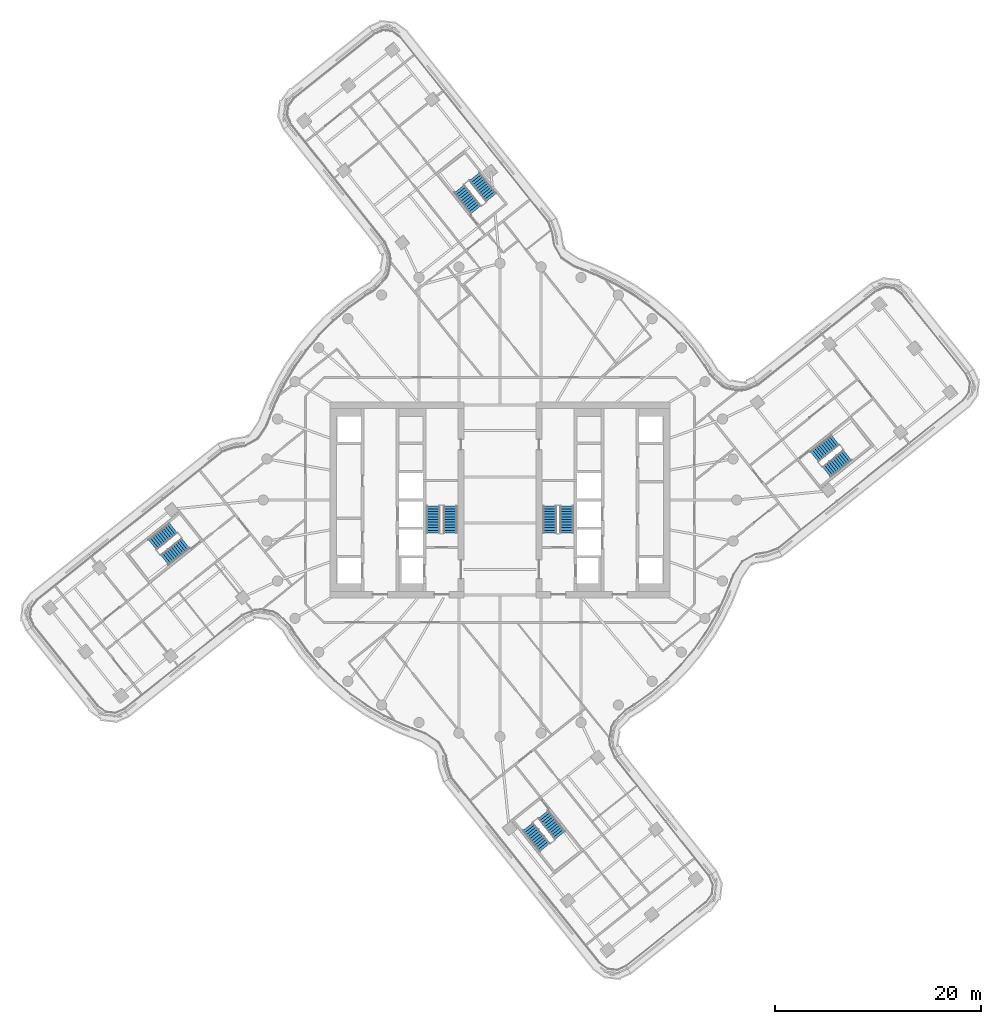
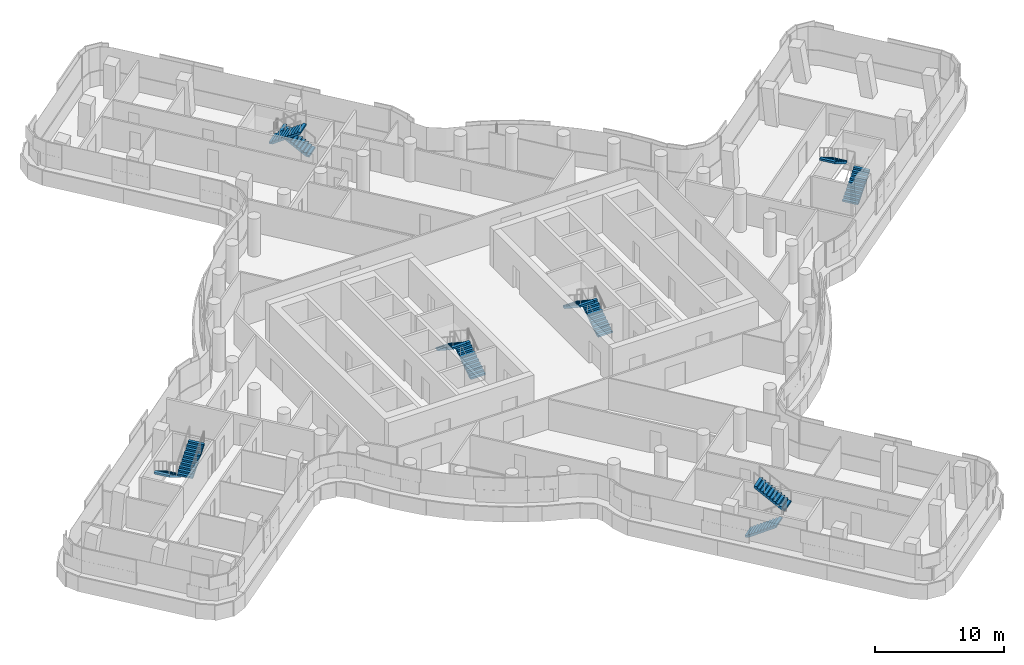
# One storey, part 24 of 31: 12 stair flights, 6 elements without a shape of their own.
"""IFC4 building model written with IfcOpenShell, lengths in metres."""

from ifc_helpers import new_model, si_unit, direction, frame, origin, place, context, subcontext, project, spatial, polyline, outline, extrude, material, type_object, element, aggregate, save


model = new_model("IFC4")

# Units and contexts
model_context = context("Model", 3, precision=1e-05, world=origin(), true_north=direction((0.0, 1.0)))
body_context = subcontext(model_context, "Body", "Model", "MODEL_VIEW")
ifc_project = project(units=[si_unit("LENGTHUNIT", "METRE"), si_unit("AREAUNIT", "SQUARE_METRE"), si_unit("VOLUMEUNIT", "CUBIC_METRE"), si_unit("PLANEANGLEUNIT", "RADIAN"), si_unit("MASSUNIT", "GRAM", prefix="KILO")], contexts=[model_context])

# Site, building, storey
site_placement = place(None, origin())
site = spatial("IfcSite", under=ifc_project, at=site_placement, CompositionType="ELEMENT")
building_placement = place(site_placement, origin())
building = spatial("IfcBuilding", under=site, at=building_placement, Name="Tamarind Cross Interchange Tower", CompositionType="ELEMENT")
storey_placement = place(building_placement, frame((0.0, 0.0, 174.25)))
storey = spatial("IfcBuildingStorey", under=building, at=storey_placement, Name="L43", CompositionType="ELEMENT", Elevation=174.25)

# Stair, stair flights
ifc_material_1 = material(Name="Exit stair")
stair_type = type_object("IfcStairType", Name="Exit stair", PredefinedType="HALF_TURN_STAIR", material=ifc_material_1)
stair_1_placement = place(storey_placement, origin())
stair_1 = element("IfcStair", 1, at=stair_1_placement, inside=storey, type_object=stair_type, Name="L43 exit stair ST1", PredefinedType="HALF_TURN_STAIR")
ifc_material_2 = material(Name="Exit stair flight")
stair_flight_type = type_object("IfcStairFlightType", Name="Exit stair flight", PredefinedType="STRAIGHT", material=ifc_material_2)
stair_flight_1_placement = place(storey_placement, frame((-4.85009765625, -3.199951171875, 0.0), z_axis=(0.0, 0.0, 1.0), x_axis=(0.0, 1.0, 0.0)))
stair_flight_1 = element("IfcStairFlight", 2, at=stair_flight_1_placement, type_object=stair_flight_type, Name="ST1 flight 1", NumberOfRisers=11, NumberOfTreads=10, PredefinedType="STRAIGHT", RiserHeight=0.170454545, TreadLength=0.26, context=body_context, shape_type="SweptSolid", body=[
    extrude(outline(polyline([(0.0, 0.0), (0.0, 0.17041015625), (0.260009765625, 0.17041015625), (0.260009765625, 0.3408203125), (0.52001953125, 0.3408203125), (0.52001953125, 0.511474609375), (0.780029296875, 0.511474609375), (0.780029296875, 0.681884765625), (1.0400390625, 0.681884765625), (1.0400390625, 0.852294921875), (1.300048828125, 0.852294921875), (1.300048828125, 1.022705078125), (1.56005859375, 1.022705078125), (1.56005859375, 1.193115234375), (1.820068359375, 1.193115234375), (1.820068359375, 1.363525390625), (2.080078125, 1.363525390625), (2.080078125, 1.5341796875), (2.340087890625, 1.5341796875), (2.340087890625, 1.70458984375), (2.60009765625, 1.70458984375), (2.60009765625, 1.875), (2.60009765625, 1.525390625), (0.2734375, 0.0), (0.0, 0.0)])), frame((0.0, 0.64990234375, 0.0), z_axis=(0.0, -1.0, 0.0), x_axis=(1.0, 0.0, 0.0)), (0.0, 0.0, 1.0), 1.300048828125),
])
stair_flight_2_placement = place(storey_placement, frame((-6.5, -0.60009765625, 1.875), z_axis=(0.0, 0.0, 1.0), x_axis=(0.0, -1.0, 0.0)))
stair_flight_2 = element("IfcStairFlight", 3, at=stair_flight_2_placement, type_object=stair_flight_type, Name="ST1 flight 2", NumberOfRisers=11, NumberOfTreads=10, PredefinedType="STRAIGHT", RiserHeight=0.170454545, TreadLength=0.26, context=body_context, shape_type="SweptSolid", body=[
    extrude(outline(polyline([(0.0, 0.0), (0.0, 0.17041015625), (0.260009765625, 0.17041015625), (0.260009765625, 0.3408203125), (0.52001953125, 0.3408203125), (0.52001953125, 0.511474609375), (0.780029296875, 0.511474609375), (0.780029296875, 0.681884765625), (1.0400390625, 0.681884765625), (1.0400390625, 0.852294921875), (1.300048828125, 0.852294921875), (1.300048828125, 1.022705078125), (1.56005859375, 1.022705078125), (1.56005859375, 1.193115234375), (1.820068359375, 1.193115234375), (1.820068359375, 1.363525390625), (2.080078125, 1.363525390625), (2.080078125, 1.5341796875), (2.340087890625, 1.5341796875), (2.340087890625, 1.70458984375), (2.60009765625, 1.70458984375), (2.60009765625, 1.875), (2.60009765625, 1.525390625), (0.2734375, 0.0), (0.0, 0.0)])), frame((0.0, 0.64990234375, 0.0), z_axis=(0.0, -1.0, 0.0), x_axis=(1.0, 0.0, 0.0)), (0.0, 0.0, 1.0), 1.300048828125),
])
aggregate(stair_1, [stair_flight_1, stair_flight_2])

stair_2_placement = place(storey_placement, origin())
stair_2 = element("IfcStair", 4, at=stair_2_placement, inside=storey, type_object=stair_type, Name="L43 exit stair ST2", PredefinedType="HALF_TURN_STAIR")
stair_flight_3_placement = place(storey_placement, frame((6.5, -3.199951171875, 0.0), z_axis=(0.0, 0.0, 1.0), x_axis=(0.0, 1.0, 0.0)))
stair_flight_3 = element("IfcStairFlight", 5, at=stair_flight_3_placement, type_object=stair_flight_type, Name="ST2 flight 1", NumberOfRisers=11, NumberOfTreads=10, PredefinedType="STRAIGHT", RiserHeight=0.170454545, TreadLength=0.26, context=body_context, shape_type="SweptSolid", body=[
    extrude(outline(polyline([(0.0, 0.0), (0.0, 0.17041015625), (0.260009765625, 0.17041015625), (0.260009765625, 0.3408203125), (0.52001953125, 0.3408203125), (0.52001953125, 0.511474609375), (0.780029296875, 0.511474609375), (0.780029296875, 0.681884765625), (1.0400390625, 0.681884765625), (1.0400390625, 0.852294921875), (1.300048828125, 0.852294921875), (1.300048828125, 1.022705078125), (1.56005859375, 1.022705078125), (1.56005859375, 1.193115234375), (1.820068359375, 1.193115234375), (1.820068359375, 1.363525390625), (2.080078125, 1.363525390625), (2.080078125, 1.5341796875), (2.340087890625, 1.5341796875), (2.340087890625, 1.70458984375), (2.60009765625, 1.70458984375), (2.60009765625, 1.875), (2.60009765625, 1.525390625), (0.2734375, 0.0), (0.0, 0.0)])), frame((0.0, 0.64990234375, 0.0), z_axis=(0.0, -1.0, 0.0), x_axis=(1.0, 0.0, 0.0)), (0.0, 0.0, 1.0), 1.300048828125),
])
stair_flight_4_placement = place(storey_placement, frame((4.85009765625, -0.60009765625, 1.875), z_axis=(0.0, 0.0, 1.0), x_axis=(0.0, -1.0, 0.0)))
stair_flight_4 = element("IfcStairFlight", 6, at=stair_flight_4_placement, type_object=stair_flight_type, Name="ST2 flight 2", NumberOfRisers=11, NumberOfTreads=10, PredefinedType="STRAIGHT", RiserHeight=0.170454545, TreadLength=0.26, context=body_context, shape_type="SweptSolid", body=[
    extrude(outline(polyline([(0.0, 0.0), (0.0, 0.17041015625), (0.260009765625, 0.17041015625), (0.260009765625, 0.3408203125), (0.52001953125, 0.3408203125), (0.52001953125, 0.511474609375), (0.780029296875, 0.511474609375), (0.780029296875, 0.681884765625), (1.0400390625, 0.681884765625), (1.0400390625, 0.852294921875), (1.300048828125, 0.852294921875), (1.300048828125, 1.022705078125), (1.56005859375, 1.022705078125), (1.56005859375, 1.193115234375), (1.820068359375, 1.193115234375), (1.820068359375, 1.363525390625), (2.080078125, 1.363525390625), (2.080078125, 1.5341796875), (2.340087890625, 1.5341796875), (2.340087890625, 1.70458984375), (2.60009765625, 1.70458984375), (2.60009765625, 1.875), (2.60009765625, 1.525390625), (0.2734375, 0.0), (0.0, 0.0)])), frame((0.0, 0.64990234375, 0.0), z_axis=(0.0, -1.0, 0.0), x_axis=(1.0, 0.0, 0.0)), (0.0, 0.0, 1.0), 1.300048828125),
])
aggregate(stair_2, [stair_flight_3, stair_flight_4])

stair_3_placement = place(storey_placement, origin())
stair_3 = element("IfcStair", 7, at=stair_3_placement, inside=storey, type_object=stair_type, Name="L43 exit stair ST3", PredefinedType="HALF_TURN_STAIR")
stair_flight_5_placement = place(storey_placement, frame((31.729736328125, 2.724853515625, 0.0), z_axis=(0.0, 0.0, 1.0), x_axis=(0.780892885425, 0.624664951388, 0.0)))
stair_flight_5 = element("IfcStairFlight", 8, at=stair_flight_5_placement, type_object=stair_flight_type, Name="ST3 flight 1", NumberOfRisers=11, NumberOfTreads=10, PredefinedType="STRAIGHT", RiserHeight=0.170454545, TreadLength=0.26, context=body_context, shape_type="SweptSolid", body=[
    extrude(outline(polyline([(0.0, 0.0), (0.0, 0.17041015625), (0.260009765625, 0.17041015625), (0.260009765625, 0.3408203125), (0.52001953125, 0.3408203125), (0.52001953125, 0.511474609375), (0.780029296875, 0.511474609375), (0.780029296875, 0.681884765625), (1.0400390625, 0.681884765625), (1.0400390625, 0.852294921875), (1.300048828125, 0.852294921875), (1.300048828125, 1.022705078125), (1.56005859375, 1.022705078125), (1.56005859375, 1.193115234375), (1.820068359375, 1.193115234375), (1.820068359375, 1.363525390625), (2.080078125, 1.363525390625), (2.080078125, 1.5341796875), (2.340087890625, 1.5341796875), (2.340087890625, 1.70458984375), (2.60009765625, 1.70458984375), (2.60009765625, 1.875), (2.60009765625, 1.525390625), (0.2734375, 0.0), (0.0, 0.0)])), frame((0.0, 0.64990234375, 0.0), z_axis=(0.0, -1.0, 0.0), x_axis=(1.0, 0.0, 0.0)), (0.0, 0.0, 1.0), 1.300048828125),
])
stair_flight_6_placement = place(storey_placement, frame((32.5732421875, 5.832763671875, 1.875), z_axis=(0.0, 0.0, 1.0), x_axis=(-0.780892885425, -0.624664951388, 0.0)))
stair_flight_6 = element("IfcStairFlight", 9, at=stair_flight_6_placement, type_object=stair_flight_type, Name="ST3 flight 2", NumberOfRisers=11, NumberOfTreads=10, PredefinedType="STRAIGHT", RiserHeight=0.170454545, TreadLength=0.26, context=body_context, shape_type="SweptSolid", body=[
    extrude(outline(polyline([(0.0, 0.0), (0.0, 0.17041015625), (0.260009765625, 0.17041015625), (0.260009765625, 0.3408203125), (0.52001953125, 0.3408203125), (0.52001953125, 0.511474609375), (0.780029296875, 0.511474609375), (0.780029296875, 0.681884765625), (1.0400390625, 0.681884765625), (1.0400390625, 0.852294921875), (1.300048828125, 0.852294921875), (1.300048828125, 1.022705078125), (1.56005859375, 1.022705078125), (1.56005859375, 1.193115234375), (1.820068359375, 1.193115234375), (1.820068359375, 1.363525390625), (2.080078125, 1.363525390625), (2.080078125, 1.5341796875), (2.340087890625, 1.5341796875), (2.340087890625, 1.70458984375), (2.60009765625, 1.70458984375), (2.60009765625, 1.875), (2.60009765625, 1.525390625), (0.2734375, 0.0), (0.0, 0.0)])), frame((0.0, 0.64990234375, 0.0), z_axis=(0.0, -1.0, 0.0), x_axis=(1.0, 0.0, 0.0)), (0.0, 0.0, 1.0), 1.300048828125),
])
aggregate(stair_3, [stair_flight_5, stair_flight_6])

stair_4_placement = place(storey_placement, origin())
stair_4 = element("IfcStair", 10, at=stair_4_placement, inside=storey, type_object=stair_type, Name="L43 exit stair ST4", PredefinedType="HALF_TURN_STAIR")
stair_flight_7_placement = place(storey_placement, frame((-0.850830078125, 29.386962890625, 0.0), z_axis=(0.0, 0.0, 1.0), x_axis=(-0.624664951388, 0.780892885425, 0.0)))
stair_flight_7 = element("IfcStairFlight", 11, at=stair_flight_7_placement, type_object=stair_flight_type, Name="ST4 flight 1", NumberOfRisers=11, NumberOfTreads=10, PredefinedType="STRAIGHT", RiserHeight=0.170454545, TreadLength=0.26, context=body_context, shape_type="SweptSolid", body=[
    extrude(outline(polyline([(0.0, 0.0), (0.0, 0.17041015625), (0.260009765625, 0.17041015625), (0.260009765625, 0.3408203125), (0.52001953125, 0.3408203125), (0.52001953125, 0.511474609375), (0.780029296875, 0.511474609375), (0.780029296875, 0.681884765625), (1.0400390625, 0.681884765625), (1.0400390625, 0.852294921875), (1.300048828125, 0.852294921875), (1.300048828125, 1.022705078125), (1.56005859375, 1.022705078125), (1.56005859375, 1.193115234375), (1.820068359375, 1.193115234375), (1.820068359375, 1.363525390625), (2.080078125, 1.363525390625), (2.080078125, 1.5341796875), (2.340087890625, 1.5341796875), (2.340087890625, 1.70458984375), (2.60009765625, 1.70458984375), (2.60009765625, 1.875), (2.60009765625, 1.525390625), (0.2734375, 0.0), (0.0, 0.0)])), frame((0.0, 0.64990234375, 0.0), z_axis=(0.0, -1.0, 0.0), x_axis=(1.0, 0.0, 0.0)), (0.0, 0.0, 1.0), 1.300048828125),
])
stair_flight_8_placement = place(storey_placement, frame((-3.958740234375, 30.23046875, 1.875), z_axis=(0.0, 0.0, 1.0), x_axis=(0.624664951388, -0.780892885425, 0.0)))
stair_flight_8 = element("IfcStairFlight", 12, at=stair_flight_8_placement, type_object=stair_flight_type, Name="ST4 flight 2", NumberOfRisers=11, NumberOfTreads=10, PredefinedType="STRAIGHT", RiserHeight=0.170454545, TreadLength=0.26, context=body_context, shape_type="SweptSolid", body=[
    extrude(outline(polyline([(0.0, 0.0), (0.0, 0.17041015625), (0.260009765625, 0.17041015625), (0.260009765625, 0.3408203125), (0.52001953125, 0.3408203125), (0.52001953125, 0.511474609375), (0.780029296875, 0.511474609375), (0.780029296875, 0.681884765625), (1.0400390625, 0.681884765625), (1.0400390625, 0.852294921875), (1.300048828125, 0.852294921875), (1.300048828125, 1.022705078125), (1.56005859375, 1.022705078125), (1.56005859375, 1.193115234375), (1.820068359375, 1.193115234375), (1.820068359375, 1.363525390625), (2.080078125, 1.363525390625), (2.080078125, 1.5341796875), (2.340087890625, 1.5341796875), (2.340087890625, 1.70458984375), (2.60009765625, 1.70458984375), (2.60009765625, 1.875), (2.60009765625, 1.525390625), (0.2734375, 0.0), (0.0, 0.0)])), frame((0.0, 0.64990234375, 0.0), z_axis=(0.0, -1.0, 0.0), x_axis=(1.0, 0.0, 0.0)), (0.0, 0.0, 1.0), 1.300048828125),
])
aggregate(stair_4, [stair_flight_7, stair_flight_8])

stair_5_placement = place(storey_placement, origin())
stair_5 = element("IfcStair", 13, at=stair_5_placement, inside=storey, type_object=stair_type, Name="L43 exit stair ST5", PredefinedType="HALF_TURN_STAIR")
stair_flight_9_placement = place(storey_placement, frame((-31.729736328125, -2.724853515625, 0.0), z_axis=(0.0, 0.0, 1.0), x_axis=(-0.780892885425, -0.624664951388, 0.0)))
stair_flight_9 = element("IfcStairFlight", 14, at=stair_flight_9_placement, type_object=stair_flight_type, Name="ST5 flight 1", NumberOfRisers=11, NumberOfTreads=10, PredefinedType="STRAIGHT", RiserHeight=0.170454545, TreadLength=0.26, context=body_context, shape_type="SweptSolid", body=[
    extrude(outline(polyline([(0.0, 0.0), (0.0, 0.17041015625), (0.260009765625, 0.17041015625), (0.260009765625, 0.3408203125), (0.52001953125, 0.3408203125), (0.52001953125, 0.511474609375), (0.780029296875, 0.511474609375), (0.780029296875, 0.681884765625), (1.0400390625, 0.681884765625), (1.0400390625, 0.852294921875), (1.300048828125, 0.852294921875), (1.300048828125, 1.022705078125), (1.56005859375, 1.022705078125), (1.56005859375, 1.193115234375), (1.820068359375, 1.193115234375), (1.820068359375, 1.363525390625), (2.080078125, 1.363525390625), (2.080078125, 1.5341796875), (2.340087890625, 1.5341796875), (2.340087890625, 1.70458984375), (2.60009765625, 1.70458984375), (2.60009765625, 1.875), (2.60009765625, 1.525390625), (0.2734375, 0.0), (0.0, 0.0)])), frame((0.0, 0.64990234375, 0.0), z_axis=(0.0, -1.0, 0.0), x_axis=(1.0, 0.0, 0.0)), (0.0, 0.0, 1.0), 1.300048828125),
])
stair_flight_10_placement = place(storey_placement, frame((-32.5732421875, -5.832763671875, 1.875), z_axis=(0.0, 0.0, 1.0), x_axis=(0.780892885425, 0.624664951388, 0.0)))
stair_flight_10 = element("IfcStairFlight", 15, at=stair_flight_10_placement, type_object=stair_flight_type, Name="ST5 flight 2", NumberOfRisers=11, NumberOfTreads=10, PredefinedType="STRAIGHT", RiserHeight=0.170454545, TreadLength=0.26, context=body_context, shape_type="SweptSolid", body=[
    extrude(outline(polyline([(0.0, 0.0), (0.0, 0.17041015625), (0.260009765625, 0.17041015625), (0.260009765625, 0.3408203125), (0.52001953125, 0.3408203125), (0.52001953125, 0.511474609375), (0.780029296875, 0.511474609375), (0.780029296875, 0.681884765625), (1.0400390625, 0.681884765625), (1.0400390625, 0.852294921875), (1.300048828125, 0.852294921875), (1.300048828125, 1.022705078125), (1.56005859375, 1.022705078125), (1.56005859375, 1.193115234375), (1.820068359375, 1.193115234375), (1.820068359375, 1.363525390625), (2.080078125, 1.363525390625), (2.080078125, 1.5341796875), (2.340087890625, 1.5341796875), (2.340087890625, 1.70458984375), (2.60009765625, 1.70458984375), (2.60009765625, 1.875), (2.60009765625, 1.525390625), (0.2734375, 0.0), (0.0, 0.0)])), frame((0.0, 0.64990234375, 0.0), z_axis=(0.0, -1.0, 0.0), x_axis=(1.0, 0.0, 0.0)), (0.0, 0.0, 1.0), 1.300048828125),
])
aggregate(stair_5, [stair_flight_9, stair_flight_10])

stair_6_placement = place(storey_placement, origin())
stair_6 = element("IfcStair", 16, at=stair_6_placement, inside=storey, type_object=stair_type, Name="L43 exit stair ST6", PredefinedType="HALF_TURN_STAIR")
stair_flight_11_placement = place(storey_placement, frame((2.724853515625, -31.729736328125, 0.0), z_axis=(0.0, 0.0, 1.0), x_axis=(0.624664951388, -0.780892885425, 0.0)))
stair_flight_11 = element("IfcStairFlight", 17, at=stair_flight_11_placement, type_object=stair_flight_type, Name="ST6 flight 1", NumberOfRisers=11, NumberOfTreads=10, PredefinedType="STRAIGHT", RiserHeight=0.170454545, TreadLength=0.26, context=body_context, shape_type="SweptSolid", body=[
    extrude(outline(polyline([(0.0, 0.0), (0.0, 0.17041015625), (0.260009765625, 0.17041015625), (0.260009765625, 0.3408203125), (0.52001953125, 0.3408203125), (0.52001953125, 0.511474609375), (0.780029296875, 0.511474609375), (0.780029296875, 0.681884765625), (1.0400390625, 0.681884765625), (1.0400390625, 0.852294921875), (1.300048828125, 0.852294921875), (1.300048828125, 1.022705078125), (1.56005859375, 1.022705078125), (1.56005859375, 1.193115234375), (1.820068359375, 1.193115234375), (1.820068359375, 1.363525390625), (2.080078125, 1.363525390625), (2.080078125, 1.5341796875), (2.340087890625, 1.5341796875), (2.340087890625, 1.70458984375), (2.60009765625, 1.70458984375), (2.60009765625, 1.875), (2.60009765625, 1.525390625), (0.2734375, 0.0), (0.0, 0.0)])), frame((0.0, 0.64990234375, 0.0), z_axis=(0.0, -1.0, 0.0), x_axis=(1.0, 0.0, 0.0)), (0.0, 0.0, 1.0), 1.300048828125),
])
stair_flight_12_placement = place(storey_placement, frame((5.832763671875, -32.5732421875, 1.875), z_axis=(0.0, 0.0, 1.0), x_axis=(-0.624664951388, 0.780892885425, 0.0)))
stair_flight_12 = element("IfcStairFlight", 18, at=stair_flight_12_placement, type_object=stair_flight_type, Name="ST6 flight 2", NumberOfRisers=11, NumberOfTreads=10, PredefinedType="STRAIGHT", RiserHeight=0.170454545, TreadLength=0.26, context=body_context, shape_type="SweptSolid", body=[
    extrude(outline(polyline([(0.0, 0.0), (0.0, 0.17041015625), (0.260009765625, 0.17041015625), (0.260009765625, 0.3408203125), (0.52001953125, 0.3408203125), (0.52001953125, 0.511474609375), (0.780029296875, 0.511474609375), (0.780029296875, 0.681884765625), (1.0400390625, 0.681884765625), (1.0400390625, 0.852294921875), (1.300048828125, 0.852294921875), (1.300048828125, 1.022705078125), (1.56005859375, 1.022705078125), (1.56005859375, 1.193115234375), (1.820068359375, 1.193115234375), (1.820068359375, 1.363525390625), (2.080078125, 1.363525390625), (2.080078125, 1.5341796875), (2.340087890625, 1.5341796875), (2.340087890625, 1.70458984375), (2.60009765625, 1.70458984375), (2.60009765625, 1.875), (2.60009765625, 1.525390625), (0.2734375, 0.0), (0.0, 0.0)])), frame((0.0, 0.64990234375, 0.0), z_axis=(0.0, -1.0, 0.0), x_axis=(1.0, 0.0, 0.0)), (0.0, 0.0, 1.0), 1.300048828125),
])
aggregate(stair_6, [stair_flight_11, stair_flight_12])

save(model, "model.ifc")
